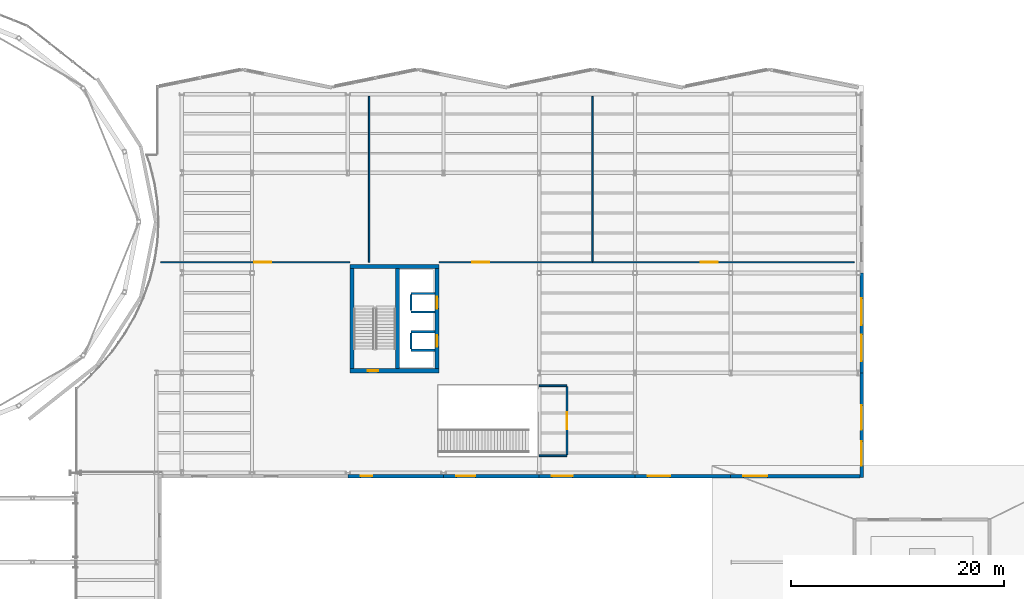
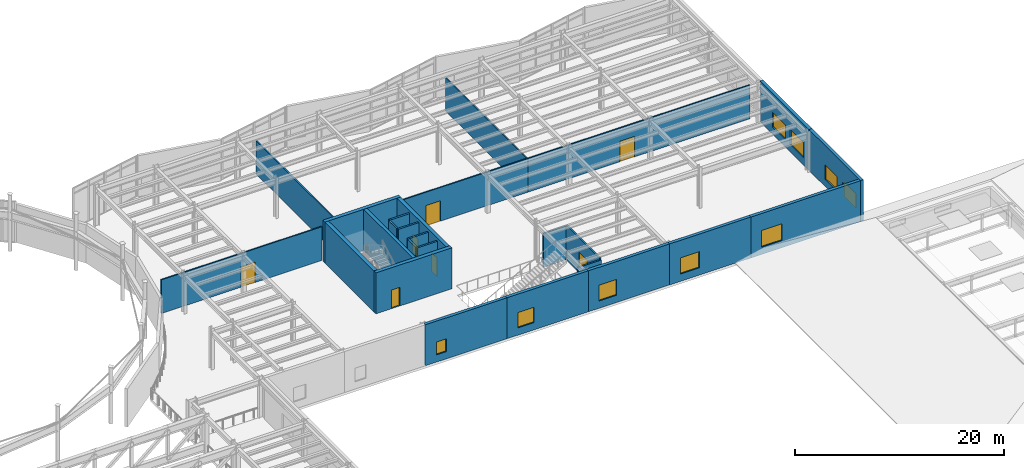
# One storey, part 75 of 91: 26 walls, 9 windows, 7 doors, 16 openings.
"""IFC4 building model written with IfcOpenShell, lengths in metres."""

from ifc_helpers import new_model, si_unit, direction, frame, frame_2d, origin, place, context, subcontext, project, spatial, rectangle, extrude, material, layer, layer_set, type_object, element, fill, save


model = new_model("IFC4")

# Units and contexts
model_context = context("Model", 3, precision=1e-05, world=origin(), true_north=direction((0.0, 1.0)))
body_context = subcontext(model_context, "Body", "Model", "MODEL_VIEW")
ifc_project = project(units=[si_unit("LENGTHUNIT", "METRE"), si_unit("AREAUNIT", "SQUARE_METRE"), si_unit("VOLUMEUNIT", "CUBIC_METRE"), si_unit("PLANEANGLEUNIT", "RADIAN"), si_unit("MASSUNIT", "GRAM", prefix="KILO")], contexts=[model_context])

# Site, building, storey
site_placement = place(None, origin())
site = spatial("IfcSite", under=ifc_project, at=site_placement, CompositionType="ELEMENT")
building_placement = place(site_placement, origin())
building = spatial("IfcBuilding", under=site, at=building_placement, Name="Sollismere Congress Hotel", CompositionType="ELEMENT")
storey_placement = place(building_placement, frame((0.0, 0.0, 10.800048828125)))
storey = spatial("IfcBuildingStorey", under=building, at=storey_placement, Name="L02", CompositionType="ELEMENT", Elevation=10.800048828125)

# Wall, openings, windows
ifc_material_1 = material(Name="Colorado Buff Sandstone and Limestone Backup C40/50", Category="masonry")
ifc_layer_1 = layer(ifc_material_1, 0.340087890625, Name="Colorado Buff Sandstone and Limestone Backup C40/50")
ifc_layer_set_1 = layer_set([ifc_layer_1], Name="Colorado Buff Sandstone and Limestone Backup C40/50")
wall_type_1 = type_object("IfcWallType", Name="WL-EXT340", PredefinedType="STANDARD", material=ifc_layer_set_1)
wall_1_placement = place(storey_placement, frame((124.31005859375, 66.35009765625, 0.0), z_axis=(0.0, 0.0, 1.0), x_axis=(0.0, 1.0, 0.0)))
wall_1 = element("IfcWall", 1, at=wall_1_placement, inside=storey, type_object=wall_type_1, Name="Exterior wall EW-L02-045", PredefinedType="STANDARD", context=body_context, shape_type="SweptSolid", body=[
    extrude(rectangle(XDim=9.849853515625, YDim=0.340087890625, at=frame_2d((4.9248046875, 0.0))), origin(), (0.0, 0.0, 1.0), 4.800048828125),
])
opening_1_placement = place(wall_1_placement, frame((1.10009765625, 0.0, 0.85009765625)))
opening_1 = element("IfcOpeningElement", 2, at=opening_1_placement, cuts=wall_1, Name="Opening W-L02-035", PredefinedType="OPENING", context=body_context, shape_type="SweptSolid", body=[
    extrude(rectangle(XDim=2.300048828125, YDim=1.699951171875, at=frame_2d((1.14990234375, 0.85009765625))), frame((0.0, 0.179931640625, 0.0), z_axis=(0.0, -1.0, 0.0), x_axis=(1.0, 0.0, 0.0)), (0.0, 0.0, 1.0), 0.360107421875),
])
opening_2_placement = place(wall_1_placement, frame((4.5, 0.0, 0.85009765625)))
opening_2 = element("IfcOpeningElement", 3, at=opening_2_placement, cuts=wall_1, Name="Opening W-L02-036", PredefinedType="OPENING", context=body_context, shape_type="SweptSolid", body=[
    extrude(rectangle(XDim=2.300048828125, YDim=1.699951171875, at=frame_2d((1.14990234375, 0.85009765625))), frame((0.0, 0.179931640625, 0.0), z_axis=(0.0, -1.0, 0.0), x_axis=(1.0, 0.0, 0.0)), (0.0, 0.0, 1.0), 0.360107421875),
])
ifc_material_2 = material(Name="Thermally Broken Bronze Aluminum & Low-E Glass", Category="aluminium")
window_type_1 = type_object("IfcWindowType", Name="WN-P230x170", PartitioningType="SINGLE_PANEL", PredefinedType="WINDOW", material=ifc_material_2)
window_1_placement = place(opening_1_placement, origin())
window_1 = element("IfcWindow", 4, at=window_1_placement, inside=storey, type_object=window_type_1, Name="WIN-W-L02-035", OverallHeight=1.699951171875, OverallWidth=2.300048828125, PartitioningType="SINGLE_PANEL", PredefinedType="WINDOW", context=body_context, shape_type="SweptSolid", body=[
    extrude(rectangle(XDim=2.300048828125, YDim=1.699951171875, at=frame_2d((1.14990234375, 0.85009765625))), frame((0.0, 0.030029296875, 0.0), z_axis=(0.0, -1.0, 0.0), x_axis=(1.0, 0.0, 0.0)), (0.0, 0.0, 1.0), 0.06005859375),
])
fill(opening_1, window_1)
window_2_placement = place(opening_2_placement, origin())
window_2 = element("IfcWindow", 5, at=window_2_placement, inside=storey, type_object=window_type_1, Name="WIN-W-L02-036", OverallHeight=1.699951171875, OverallWidth=2.300048828125, PartitioningType="SINGLE_PANEL", PredefinedType="WINDOW", context=body_context, shape_type="SweptSolid", body=[
    extrude(rectangle(XDim=2.300048828125, YDim=1.699951171875, at=frame_2d((1.14990234375, 0.85009765625))), frame((0.0, 0.030029296875, 0.0), z_axis=(0.0, -1.0, 0.0), x_axis=(1.0, 0.0, 0.0)), (0.0, 0.0, 1.0), 0.06005859375),
])
fill(opening_2, window_2)

wall_2_placement = place(storey_placement, frame((124.31005859375, 76.199951171875, 0.0), z_axis=(0.0, 0.0, 1.0), x_axis=(0.0, 1.0, 0.0)))
wall_2 = element("IfcWall", 6, at=wall_2_placement, inside=storey, type_object=wall_type_1, Name="Exterior wall EW-L02-046", PredefinedType="STANDARD", context=body_context, shape_type="SweptSolid", body=[
    extrude(rectangle(XDim=9.400146484375, YDim=0.340087890625, at=frame_2d((4.7001953125, 0.0))), origin(), (0.0, 0.0, 1.0), 4.800048828125),
])
opening_3_placement = place(wall_2_placement, frame((1.10009765625, 0.0, 0.85009765625)))
opening_3 = element("IfcOpeningElement", 7, at=opening_3_placement, cuts=wall_2, Name="Opening W-L02-037", PredefinedType="OPENING", context=body_context, shape_type="SweptSolid", body=[
    extrude(rectangle(XDim=2.5, YDim=1.75, at=frame_2d((1.25, 0.875))), frame((0.0, 0.179931640625, 0.0), z_axis=(0.0, -1.0, 0.0), x_axis=(1.0, 0.0, 0.0)), (0.0, 0.0, 1.0), 0.360107421875),
])
opening_4_placement = place(wall_2_placement, frame((4.5, 0.0, 0.85009765625)))
opening_4 = element("IfcOpeningElement", 8, at=opening_4_placement, cuts=wall_2, Name="Opening W-L02-038", PredefinedType="OPENING", context=body_context, shape_type="SweptSolid", body=[
    extrude(rectangle(XDim=2.5, YDim=1.75, at=frame_2d((1.25, 0.875))), frame((0.0, 0.179931640625, 0.0), z_axis=(0.0, -1.0, 0.0), x_axis=(1.0, 0.0, 0.0)), (0.0, 0.0, 1.0), 0.360107421875),
])
window_type_2 = type_object("IfcWindowType", Name="WN-P250x175", PartitioningType="SINGLE_PANEL", PredefinedType="WINDOW", material=ifc_material_2)
window_3_placement = place(opening_3_placement, origin())
window_3 = element("IfcWindow", 9, at=window_3_placement, inside=storey, type_object=window_type_2, Name="WIN-W-L02-037", OverallHeight=1.75, OverallWidth=2.5, PartitioningType="SINGLE_PANEL", PredefinedType="WINDOW", context=body_context, shape_type="SweptSolid", body=[
    extrude(rectangle(XDim=2.5, YDim=1.75, at=frame_2d((1.25, 0.875))), frame((0.0, 0.030029296875, 0.0), z_axis=(0.0, -1.0, 0.0), x_axis=(1.0, 0.0, 0.0)), (0.0, 0.0, 1.0), 0.06005859375),
])
fill(opening_3, window_3)
window_4_placement = place(opening_4_placement, origin())
window_4 = element("IfcWindow", 10, at=window_4_placement, inside=storey, type_object=window_type_2, Name="WIN-W-L02-038", OverallHeight=1.75, OverallWidth=2.5, PartitioningType="SINGLE_PANEL", PredefinedType="WINDOW", context=body_context, shape_type="SweptSolid", body=[
    extrude(rectangle(XDim=2.5, YDim=1.75, at=frame_2d((1.25, 0.875))), frame((0.0, 0.030029296875, 0.0), z_axis=(0.0, -1.0, 0.0), x_axis=(1.0, 0.0, 0.0)), (0.0, 0.0, 1.0), 0.06005859375),
])
fill(opening_4, window_4)

# Wall, opening, window
wall_3_placement = place(storey_placement, frame((76.0, 66.489990234375, 0.0), z_axis=(0.0, 0.0, 1.0), x_axis=(1.0, 0.0, 0.0)))
wall_3 = element("IfcWall", 11, at=wall_3_placement, inside=storey, type_object=wall_type_1, Name="Exterior wall EW-L02-051", PredefinedType="STANDARD", context=body_context, shape_type="SweptSolid", body=[
    extrude(rectangle(XDim=9.0, YDim=0.340087890625, at=frame_2d((4.5, 0.0))), origin(), (0.0, 0.0, 1.0), 4.800048828125),
])
opening_5_placement = place(wall_3_placement, frame((1.199951171875, 0.0, 0.85009765625)))
opening_5 = element("IfcOpeningElement", 12, at=opening_5_placement, cuts=wall_3, Name="Opening W-L02-045", PredefinedType="OPENING", context=body_context, shape_type="SweptSolid", body=[
    extrude(rectangle(XDim=1.10009765625, YDim=1.5, at=frame_2d((0.550048828125, 0.75))), frame((0.0, 0.179931640625, 0.0), z_axis=(0.0, -1.0, 0.0), x_axis=(1.0, 0.0, 0.0)), (0.0, 0.0, 1.0), 0.360107421875),
])
window_type_3 = type_object("IfcWindowType", Name="WN-P110x150", PartitioningType="SINGLE_PANEL", PredefinedType="WINDOW", material=ifc_material_2)
window_5_placement = place(opening_5_placement, origin())
window_5 = element("IfcWindow", 13, at=window_5_placement, inside=storey, type_object=window_type_3, Name="WIN-W-L02-045", OverallHeight=1.5, OverallWidth=1.10009765625, PartitioningType="SINGLE_PANEL", PredefinedType="WINDOW", context=body_context, shape_type="SweptSolid", body=[
    extrude(rectangle(XDim=1.10009765625, YDim=1.5, at=frame_2d((0.550048828125, 0.75))), frame((0.0, 0.030029296875, 0.0), z_axis=(0.0, -1.0, 0.0), x_axis=(1.0, 0.0, 0.0)), (0.0, 0.0, 1.0), 0.06005859375),
])
fill(opening_5, window_5)

wall_4_placement = place(storey_placement, frame((85.0, 66.489990234375, 0.0), z_axis=(0.0, 0.0, 1.0), x_axis=(1.0, 0.0, 0.0)))
wall_4 = element("IfcWall", 14, at=wall_4_placement, inside=storey, type_object=wall_type_1, Name="Exterior wall EW-L02-052", PredefinedType="STANDARD", context=body_context, shape_type="SweptSolid", body=[
    extrude(rectangle(XDim=9.0, YDim=0.340087890625, at=frame_2d((4.5, 0.0))), origin(), (0.0, 0.0, 1.0), 4.800048828125),
])
opening_6_placement = place(wall_4_placement, frame((1.199951171875, 0.0, 0.85009765625)))
opening_6 = element("IfcOpeningElement", 15, at=opening_6_placement, cuts=wall_4, Name="Opening W-L02-046", PredefinedType="OPENING", context=body_context, shape_type="SweptSolid", body=[
    extrude(rectangle(XDim=1.800048828125, YDim=1.800048828125, at=frame_2d((0.89990234375, 0.89990234375))), frame((0.0, 0.179931640625, 0.0), z_axis=(0.0, -1.0, 0.0), x_axis=(1.0, 0.0, 0.0)), (0.0, 0.0, 1.0), 0.360107421875),
])
window_type_4 = type_object("IfcWindowType", Name="WN-P180x180", PartitioningType="SINGLE_PANEL", PredefinedType="WINDOW", material=ifc_material_2)
window_6_placement = place(opening_6_placement, origin())
window_6 = element("IfcWindow", 16, at=window_6_placement, inside=storey, type_object=window_type_4, Name="WIN-W-L02-046", OverallHeight=1.800048828125, OverallWidth=1.800048828125, PartitioningType="SINGLE_PANEL", PredefinedType="WINDOW", context=body_context, shape_type="SweptSolid", body=[
    extrude(rectangle(XDim=1.800048828125, YDim=1.800048828125, at=frame_2d((0.89990234375, 0.89990234375))), frame((0.0, 0.030029296875, 0.0), z_axis=(0.0, -1.0, 0.0), x_axis=(1.0, 0.0, 0.0)), (0.0, 0.0, 1.0), 0.06005859375),
])
fill(opening_6, window_6)

wall_5_placement = place(storey_placement, frame((94.0, 66.489990234375, 0.0), z_axis=(0.0, 0.0, 1.0), x_axis=(1.0, 0.0, 0.0)))
wall_5 = element("IfcWall", 17, at=wall_5_placement, inside=storey, type_object=wall_type_1, Name="Exterior wall EW-L02-053", PredefinedType="STANDARD", context=body_context, shape_type="SweptSolid", body=[
    extrude(rectangle(XDim=9.0, YDim=0.340087890625, at=frame_2d((4.5, 0.0))), origin(), (0.0, 0.0, 1.0), 4.800048828125),
])
opening_7_placement = place(wall_5_placement, frame((1.199951171875, 0.0, 0.85009765625)))
opening_7 = element("IfcOpeningElement", 18, at=opening_7_placement, cuts=wall_5, Name="Opening W-L02-047", PredefinedType="OPENING", context=body_context, shape_type="SweptSolid", body=[
    extrude(rectangle(XDim=1.949951171875, YDim=1.85009765625, at=frame_2d((0.97509765625, 0.925048828125))), frame((0.0, 0.179931640625, 0.0), z_axis=(0.0, -1.0, 0.0), x_axis=(1.0, 0.0, 0.0)), (0.0, 0.0, 1.0), 0.360107421875),
])
window_type_5 = type_object("IfcWindowType", Name="WN-P195x185", PartitioningType="SINGLE_PANEL", PredefinedType="WINDOW", material=ifc_material_2)
window_7_placement = place(opening_7_placement, origin())
window_7 = element("IfcWindow", 19, at=window_7_placement, inside=storey, type_object=window_type_5, Name="WIN-W-L02-047", OverallHeight=1.85009765625, OverallWidth=1.949951171875, PartitioningType="SINGLE_PANEL", PredefinedType="WINDOW", context=body_context, shape_type="SweptSolid", body=[
    extrude(rectangle(XDim=1.949951171875, YDim=1.85009765625, at=frame_2d((0.97509765625, 0.925048828125))), frame((0.0, 0.030029296875, 0.0), z_axis=(0.0, -1.0, 0.0), x_axis=(1.0, 0.0, 0.0)), (0.0, 0.0, 1.0), 0.06005859375),
])
fill(opening_7, window_7)

wall_6_placement = place(storey_placement, frame((103.0, 66.489990234375, 0.0), z_axis=(0.0, 0.0, 1.0), x_axis=(1.0, 0.0, 0.0)))
wall_6 = element("IfcWall", 20, at=wall_6_placement, inside=storey, type_object=wall_type_1, Name="Exterior wall EW-L02-054", PredefinedType="STANDARD", context=body_context, shape_type="SweptSolid", body=[
    extrude(rectangle(XDim=9.0, YDim=0.340087890625, at=frame_2d((4.5, 0.0))), origin(), (0.0, 0.0, 1.0), 4.800048828125),
])
opening_8_placement = place(wall_6_placement, frame((1.199951171875, 0.0, 0.85009765625)))
opening_8 = element("IfcOpeningElement", 21, at=opening_8_placement, cuts=wall_6, Name="Opening W-L02-048", PredefinedType="OPENING", context=body_context, shape_type="SweptSolid", body=[
    extrude(rectangle(XDim=2.10009765625, YDim=1.89990234375, at=frame_2d((1.050048828125, 0.949951171875))), frame((0.0, 0.179931640625, 0.0), z_axis=(0.0, -1.0, 0.0), x_axis=(1.0, 0.0, 0.0)), (0.0, 0.0, 1.0), 0.360107421875),
])
window_type_6 = type_object("IfcWindowType", Name="WN-P210x190", PartitioningType="SINGLE_PANEL", PredefinedType="WINDOW", material=ifc_material_2)
window_8_placement = place(opening_8_placement, origin())
window_8 = element("IfcWindow", 22, at=window_8_placement, inside=storey, type_object=window_type_6, Name="WIN-W-L02-048", OverallHeight=1.89990234375, OverallWidth=2.10009765625, PartitioningType="SINGLE_PANEL", PredefinedType="WINDOW", context=body_context, shape_type="SweptSolid", body=[
    extrude(rectangle(XDim=2.10009765625, YDim=1.89990234375, at=frame_2d((1.050048828125, 0.949951171875))), frame((0.0, 0.030029296875, 0.0), z_axis=(0.0, -1.0, 0.0), x_axis=(1.0, 0.0, 0.0)), (0.0, 0.0, 1.0), 0.06005859375),
])
fill(opening_8, window_8)

wall_7_placement = place(storey_placement, frame((112.0, 66.489990234375, 0.0), z_axis=(0.0, 0.0, 1.0), x_axis=(1.0, 0.0, 0.0)))
wall_7 = element("IfcWall", 23, at=wall_7_placement, inside=storey, type_object=wall_type_1, Name="Exterior wall EW-L02-055", PredefinedType="STANDARD", context=body_context, shape_type="SweptSolid", body=[
    extrude(rectangle(XDim=12.137939453125, YDim=0.340087890625, at=frame_2d((6.06884765625, 0.0))), origin(), (0.0, 0.0, 1.0), 4.800048828125),
])
opening_9_placement = place(wall_7_placement, frame((1.199951171875, 0.0, 0.85009765625)))
opening_9 = element("IfcOpeningElement", 24, at=opening_9_placement, cuts=wall_7, Name="Opening W-L02-049", PredefinedType="OPENING", context=body_context, shape_type="SweptSolid", body=[
    extrude(rectangle(XDim=2.25, YDim=1.949951171875, at=frame_2d((1.125, 0.97509765625))), frame((0.0, 0.179931640625, 0.0), z_axis=(0.0, -1.0, 0.0), x_axis=(1.0, 0.0, 0.0)), (0.0, 0.0, 1.0), 0.360107421875),
])
window_type_7 = type_object("IfcWindowType", Name="WN-P225x195", PartitioningType="SINGLE_PANEL", PredefinedType="WINDOW", material=ifc_material_2)
window_9_placement = place(opening_9_placement, origin())
window_9 = element("IfcWindow", 25, at=window_9_placement, inside=storey, type_object=window_type_7, Name="WIN-W-L02-049", OverallHeight=1.949951171875, OverallWidth=2.25, PartitioningType="SINGLE_PANEL", PredefinedType="WINDOW", context=body_context, shape_type="SweptSolid", body=[
    extrude(rectangle(XDim=2.25, YDim=1.949951171875, at=frame_2d((1.125, 0.97509765625))), frame((0.0, 0.030029296875, 0.0), z_axis=(0.0, -1.0, 0.0), x_axis=(1.0, 0.0, 0.0)), (0.0, 0.0, 1.0), 0.06005859375),
])
fill(opening_9, window_9)

# Walls
ifc_material_3 = material(Name="Moisture-Resistant Shaft Gypsum Assembly")
ifc_layer_2 = layer(ifc_material_3, 0.199951171875, Name="Moisture-Resistant Shaft Gypsum Assembly")
ifc_layer_set_2 = layer_set([ifc_layer_2], Name="Moisture-Resistant Shaft Gypsum Assembly")
wall_type_2 = type_object("IfcWallType", Name="WL-PLM200", PredefinedType="PLUMBINGWALL", material=ifc_layer_set_2)
for number, where, z_axis, x_axis, name in (
    (26, (81.955078125, 78.330078125, 0.0), (0.0, 0.0, 1.0), (1.0, 0.0, 0.0), "Interior wall IW-L02-0598"),
    (27, (81.955078125, 80.070068359375, 0.0), (0.0, 0.0, 1.0), (1.0, 0.0, 0.0), "Interior wall IW-L02-0599"),
):
    element("IfcWall", number, at=place(storey_placement, frame(where, z_axis=z_axis, x_axis=x_axis)), inside=storey, type_object=wall_type_2, Name=name, PredefinedType="PLUMBINGWALL", context=body_context, shape_type="SweptSolid", body=[
        extrude(rectangle(XDim=2.23291015625, YDim=0.199951171875, at=frame_2d((1.116455078125, 0.0))), origin(), (0.0, 0.0, 1.0), 4.474853515625),
    ])
wall_8_placement = place(storey_placement, frame((81.955078125, 78.44189453125, 0.0), z_axis=(0.0, 0.0, 1.0), x_axis=(0.0, 1.0, 0.0)))
element("IfcWall", 28, at=wall_8_placement, inside=storey, type_object=wall_type_2, Name="Interior wall IW-L02-0600", PredefinedType="PLUMBINGWALL", context=body_context, shape_type="SweptSolid", body=[
    extrude(rectangle(XDim=1.51611328125, YDim=0.199951171875, at=frame_2d((0.758056640625, 0.0))), origin(), (0.0, 0.0, 1.0), 4.474853515625),
])
for number, where, z_axis, x_axis, name in (
    (29, (81.955078125, 81.929931640625, 0.0), (0.0, 0.0, 1.0), (1.0, 0.0, 0.0), "Interior wall IW-L02-0601"),
    (30, (81.955078125, 83.669921875, 0.0), (0.0, 0.0, 1.0), (1.0, 0.0, 0.0), "Interior wall IW-L02-0602"),
):
    element("IfcWall", number, at=place(storey_placement, frame(where, z_axis=z_axis, x_axis=x_axis)), inside=storey, type_object=wall_type_2, Name=name, PredefinedType="PLUMBINGWALL", context=body_context, shape_type="SweptSolid", body=[
        extrude(rectangle(XDim=2.23291015625, YDim=0.199951171875, at=frame_2d((1.116455078125, 0.0))), origin(), (0.0, 0.0, 1.0), 4.474853515625),
    ])
wall_9_placement = place(storey_placement, frame((81.955078125, 82.0419921875, 0.0), z_axis=(0.0, 0.0, 1.0), x_axis=(0.0, 1.0, 0.0)))
element("IfcWall", 31, at=wall_9_placement, inside=storey, type_object=wall_type_2, Name="Interior wall IW-L02-0603", PredefinedType="PLUMBINGWALL", context=body_context, shape_type="SweptSolid", body=[
    extrude(rectangle(XDim=1.51611328125, YDim=0.199951171875, at=frame_2d((0.758056640625, 0.0))), origin(), (0.0, 0.0, 1.0), 4.474853515625),
])

# Wall, opening, door
ifc_material_4 = material(Name="Fire-Rated Gypsum Partition")
ifc_layer_3 = layer(ifc_material_4, 0.139892578125, Name="Fire-Rated Gypsum Partition")
ifc_layer_set_3 = layer_set([ifc_layer_3], Name="Fire-Rated Gypsum Partition")
wall_type_3 = type_object("IfcWallType", Name="WL-PRT140R", PredefinedType="PARTITIONING", material=ifc_layer_set_3)
wall_10_placement = place(storey_placement, frame((58.39990234375, 86.60009765625, 0.0), z_axis=(0.0, 0.0, 1.0), x_axis=(1.0, 0.0, 0.0)))
wall_10 = element("IfcWall", 32, at=wall_10_placement, inside=storey, type_object=wall_type_3, Name="Interior wall IW-L02-0939", PredefinedType="PARTITIONING", context=body_context, shape_type="SweptSolid", body=[
    extrude(rectangle(XDim=17.800048828125, YDim=0.139892578125, at=frame_2d((8.89990234375, 0.0))), origin(), (0.0, 0.0, 1.0), 3.948974609375),
])
opening_10_placement = place(wall_10_placement, frame((8.800048828125, 0.0, 0.0)))
opening_10 = element("IfcOpeningElement", 33, at=opening_10_placement, cuts=wall_10, Name="Opening D-L02-0328", PredefinedType="OPENING", context=body_context, shape_type="SweptSolid", body=[
    extrude(rectangle(XDim=1.60009765625, YDim=2.39990234375, at=frame_2d((0.800048828125, 1.199951171875))), frame((0.0, 0.079833984375, 0.0), z_axis=(0.0, -1.0, 0.0), x_axis=(1.0, 0.0, 0.0)), (0.0, 0.0, 1.0), 0.159912109375),
])
ifc_material_5 = material(Name="Acoustic Oak Double Meeting Door")
door_type_1 = type_object("IfcDoorType", Name="DR-MT160", OperationType="NOTDEFINED", PredefinedType="DOOR", material=ifc_material_5)
door_1_placement = place(opening_10_placement, origin())
door_1 = element("IfcDoor", 34, at=door_1_placement, inside=storey, type_object=door_type_1, Name="Interior door D-L02-0328", OperationType="DOUBLE_DOOR_SINGLE_SWING", OverallHeight=2.39990234375, OverallWidth=1.60009765625, PredefinedType="DOOR", context=body_context, shape_type="SweptSolid", body=[
    extrude(rectangle(XDim=1.60009765625, YDim=2.39990234375, at=frame_2d((0.800048828125, 1.199951171875))), frame((0.0, 0.02490234375, 0.0), z_axis=(0.0, -1.0, 0.0), x_axis=(1.0, 0.0, 0.0)), (0.0, 0.0, 1.0), 0.050048828125),
])
fill(opening_10, door_1)

wall_11_placement = place(storey_placement, frame((84.60009765625, 86.60009765625, 0.0), z_axis=(0.0, 0.0, 1.0), x_axis=(1.0, 0.0, 0.0)))
wall_11 = element("IfcWall", 35, at=wall_11_placement, inside=storey, type_object=wall_type_3, Name="Interior wall IW-L02-0940", PredefinedType="PARTITIONING", context=body_context, shape_type="SweptSolid", body=[
    extrude(rectangle(XDim=14.39990234375, YDim=0.139892578125, at=frame_2d((7.199951171875, 0.0))), origin(), (0.0, 0.0, 1.0), 3.948974609375),
])
opening_11_placement = place(wall_11_placement, frame((3.10009765625, 0.0, 0.0)))
opening_11 = element("IfcOpeningElement", 36, at=opening_11_placement, cuts=wall_11, Name="Opening D-L02-0329", PredefinedType="OPENING", context=body_context, shape_type="SweptSolid", body=[
    extrude(rectangle(XDim=1.60009765625, YDim=2.39990234375, at=frame_2d((0.800048828125, 1.199951171875))), frame((0.0, 0.079833984375, 0.0), z_axis=(0.0, -1.0, 0.0), x_axis=(1.0, 0.0, 0.0)), (0.0, 0.0, 1.0), 0.159912109375),
])
door_2_placement = place(opening_11_placement, origin())
door_2 = element("IfcDoor", 37, at=door_2_placement, inside=storey, type_object=door_type_1, Name="Interior door D-L02-0329", OperationType="DOUBLE_DOOR_SINGLE_SWING", OverallHeight=2.39990234375, OverallWidth=1.60009765625, PredefinedType="DOOR", context=body_context, shape_type="SweptSolid", body=[
    extrude(rectangle(XDim=1.60009765625, YDim=2.39990234375, at=frame_2d((0.800048828125, 1.199951171875))), frame((0.0, 0.02490234375, 0.0), z_axis=(0.0, -1.0, 0.0), x_axis=(1.0, 0.0, 0.0)), (0.0, 0.0, 1.0), 0.050048828125),
])
fill(opening_11, door_2)

wall_12_placement = place(storey_placement, frame((99.0, 86.60009765625, 0.0), z_axis=(0.0, 0.0, 1.0), x_axis=(1.0, 0.0, 0.0)))
wall_12 = element("IfcWall", 38, at=wall_12_placement, inside=storey, type_object=wall_type_3, Name="Interior wall IW-L02-0941", PredefinedType="PARTITIONING", context=body_context, shape_type="SweptSolid", body=[
    extrude(rectangle(XDim=24.60009765625, YDim=0.139892578125, at=frame_2d((12.300048828125, 0.0))), origin(), (0.0, 0.0, 1.0), 3.948974609375),
])
opening_12_placement = place(wall_12_placement, frame((10.199951171875, 0.0, 0.0)))
opening_12 = element("IfcOpeningElement", 39, at=opening_12_placement, cuts=wall_12, Name="Opening D-L02-0330", PredefinedType="OPENING", context=body_context, shape_type="SweptSolid", body=[
    extrude(rectangle(XDim=1.60009765625, YDim=2.39990234375, at=frame_2d((0.800048828125, 1.199951171875))), frame((0.0, 0.079833984375, 0.0), z_axis=(0.0, -1.0, 0.0), x_axis=(1.0, 0.0, 0.0)), (0.0, 0.0, 1.0), 0.159912109375),
])
door_3_placement = place(opening_12_placement, origin())
door_3 = element("IfcDoor", 40, at=door_3_placement, inside=storey, type_object=door_type_1, Name="Interior door D-L02-0330", OperationType="DOUBLE_DOOR_SINGLE_SWING", OverallHeight=2.39990234375, OverallWidth=1.60009765625, PredefinedType="DOOR", context=body_context, shape_type="SweptSolid", body=[
    extrude(rectangle(XDim=1.60009765625, YDim=2.39990234375, at=frame_2d((0.800048828125, 1.199951171875))), frame((0.0, 0.02490234375, 0.0), z_axis=(0.0, -1.0, 0.0), x_axis=(1.0, 0.0, 0.0)), (0.0, 0.0, 1.0), 0.050048828125),
])
fill(opening_12, door_3)

# Walls
wall_13_placement = place(storey_placement, frame((78.0, 86.60009765625, 0.0), z_axis=(0.0, 0.0, 1.0), x_axis=(0.0, 1.0, 0.0)))
element("IfcWall", 41, at=wall_13_placement, inside=storey, type_object=wall_type_3, Name="Interior wall IW-L02-0942", PredefinedType="PARTITIONING", context=body_context, shape_type="SweptSolid", body=[
    extrude(rectangle(XDim=15.599853515625, YDim=0.139892578125, at=frame_2d((7.7998046875, 0.0))), origin(), (0.0, 0.0, 1.0), 3.887939453125),
])
wall_14_placement = place(storey_placement, frame((99.0, 86.681884765625, 0.0), z_axis=(0.0, 0.0, 1.0), x_axis=(0.0, 1.0, 0.0)))
element("IfcWall", 42, at=wall_14_placement, inside=storey, type_object=wall_type_3, Name="Interior wall IW-L02-0944", PredefinedType="PARTITIONING", context=body_context, shape_type="SweptSolid", body=[
    extrude(rectangle(XDim=15.51806640625, YDim=0.139892578125, at=frame_2d((7.759033203125, 0.0))), origin(), (0.0, 0.0, 1.0), 3.887939453125),
])
ifc_material_6 = material(Name="Fire-Rated Acoustic Gypsum Partition")
ifc_layer_4 = layer(ifc_material_6, 0.1650390625, Name="Fire-Rated Acoustic Gypsum Partition")
ifc_layer_set_4 = layer_set([ifc_layer_4], Name="Fire-Rated Acoustic Gypsum Partition")
wall_type_4 = type_object("IfcWallType", Name="WL-PRT165R", PredefinedType="PARTITIONING", material=ifc_layer_set_4)
for number, where, z_axis, x_axis, name in (
    (43, (94.0, 68.39990234375, 0.0), (0.0, 0.0, 1.0), (1.0, 0.0, 0.0), "Interior wall IW-L02-0937"),
    (44, (94.0, 75.0, 0.0), (0.0, 0.0, 1.0), (1.0, 0.0, 0.0), "Interior wall IW-L02-0938"),
):
    element("IfcWall", number, at=place(storey_placement, frame(where, z_axis=z_axis, x_axis=x_axis)), inside=storey, type_object=wall_type_4, Name=name, PredefinedType="PARTITIONING", context=body_context, shape_type="SweptSolid", body=[
        extrude(rectangle(XDim=2.60009765625, YDim=0.1650390625, at=frame_2d((1.300048828125, 0.0))), origin(), (0.0, 0.0, 1.0), 3.948974609375),
    ])

# Wall, opening, door
wall_15_placement = place(storey_placement, frame((96.60009765625, 68.494384765625, 0.0), z_axis=(0.0, 0.0, 1.0), x_axis=(0.0, 1.0, 0.0)))
wall_15 = element("IfcWall", 45, at=wall_15_placement, inside=storey, type_object=wall_type_4, Name="Interior wall IW-L02-0943", PredefinedType="PARTITIONING", context=body_context, shape_type="SweptSolid", body=[
    extrude(rectangle(XDim=6.4111328125, YDim=0.1650390625, at=frame_2d((3.20556640625, 0.0))), origin(), (0.0, 0.0, 1.0), 4.0830078125),
])
opening_13_placement = place(wall_15_placement, frame((2.406005859375, 0.0, 0.0)))
opening_13 = element("IfcOpeningElement", 46, at=opening_13_placement, cuts=wall_15, Name="Opening D-L02-0331", PredefinedType="OPENING", context=body_context, shape_type="SweptSolid", body=[
    extrude(rectangle(XDim=1.60009765625, YDim=2.39990234375, at=frame_2d((0.800048828125, 1.199951171875))), frame((0.0, 0.092529296875, 0.0), z_axis=(0.0, -1.0, 0.0), x_axis=(1.0, 0.0, 0.0)), (0.0, 0.0, 1.0), 0.18505859375),
])
door_4_placement = place(opening_13_placement, origin())
door_4 = element("IfcDoor", 47, at=door_4_placement, inside=storey, type_object=door_type_1, Name="Interior door D-L02-0331", OperationType="DOUBLE_DOOR_SINGLE_SWING", OverallHeight=2.39990234375, OverallWidth=1.60009765625, PredefinedType="DOOR", context=body_context, shape_type="SweptSolid", body=[
    extrude(rectangle(XDim=1.60009765625, YDim=2.39990234375, at=frame_2d((0.800048828125, 1.199951171875))), frame((0.0, 0.02490234375, 0.0), z_axis=(0.0, -1.0, 0.0), x_axis=(1.0, 0.0, 0.0)), (0.0, 0.0, 1.0), 0.050048828125),
])
fill(opening_13, door_4)

# Wall
ifc_material_7 = material(Name="Concrete C50/60", Category="concrete")
ifc_layer_5 = layer(ifc_material_7, 0.35009765625, Name="Concrete C50/60")
ifc_layer_set_5 = layer_set([ifc_layer_5], Name="Concrete C50/60")
wall_type_5 = type_object("IfcWallType", Name="WL-SHR350", PredefinedType="SHEAR", material=ifc_layer_set_5)
wall_16_placement = place(storey_placement, frame((80.675048828125, 76.60009765625, 0.0), z_axis=(0.0, 0.0, 1.0), x_axis=(0.0, 1.0, 0.0)))
element("IfcWall", 48, at=wall_16_placement, inside=storey, type_object=wall_type_5, Name="Interior wall IW-L02-0597", PredefinedType="SHEAR", context=body_context, shape_type="SweptSolid", body=[
    extrude(rectangle(XDim=9.39990234375, YDim=0.35009765625, at=frame_2d((4.699951171875, 0.0))), origin(), (0.0, 0.0, 1.0), 4.800048828125),
])

# Wall, opening, door
ifc_layer_6 = layer(ifc_material_7, 0.39990234375, Name="Concrete C50/60")
ifc_layer_set_6 = layer_set([ifc_layer_6], Name="Concrete C50/60")
wall_type_6 = type_object("IfcWallType", Name="WL-SHR400", PredefinedType="SHEAR", material=ifc_layer_set_6)
wall_17_placement = place(storey_placement, frame((76.199951171875, 76.39990234375, 0.0), z_axis=(0.0, 0.0, 1.0), x_axis=(1.0, 0.0, 0.0)))
wall_17 = element("IfcWall", 49, at=wall_17_placement, inside=storey, type_object=wall_type_6, Name="Interior wall IW-L02-0593", PredefinedType="SHEAR", context=body_context, shape_type="SweptSolid", body=[
    extrude(rectangle(XDim=8.400146484375, YDim=0.39990234375, at=frame_2d((4.2001953125, 0.0))), origin(), (0.0, 0.0, 1.0), 4.800048828125),
])
opening_14_placement = place(wall_17_placement, frame((1.699951171875, 0.0, 0.0)))
opening_14 = element("IfcOpeningElement", 50, at=opening_14_placement, cuts=wall_17, Name="Opening D-ST-04-L02", PredefinedType="OPENING", context=body_context, shape_type="SweptSolid", body=[
    extrude(rectangle(XDim=0.949951171875, YDim=2.199951171875, at=frame_2d((0.47509765625, 1.10009765625))), frame((0.0, 0.2099609375, 0.0), z_axis=(0.0, -1.0, 0.0), x_axis=(1.0, 0.0, 0.0)), (0.0, 0.0, 1.0), 0.419921875),
])
ifc_material_8 = material(Name="Fire-Rated Insulated Steel Door", Category="steel")
door_type_2 = type_object("IfcDoorType", Name="DR-FD90", OperationType="NOTDEFINED", PredefinedType="DOOR", material=ifc_material_8)
door_5_placement = place(opening_14_placement, origin())
door_5 = element("IfcDoor", 51, at=door_5_placement, inside=storey, type_object=door_type_2, Name="Exit stair fire door D-ST-04-L02", OperationType="SINGLE_SWING_LEFT", OverallHeight=2.199951171875, OverallWidth=0.949951171875, PredefinedType="DOOR", context=body_context, shape_type="SweptSolid", body=[
    extrude(rectangle(XDim=0.949951171875, YDim=2.199951171875, at=frame_2d((0.47509765625, 1.10009765625))), frame((0.0, 0.02490234375, 0.0), z_axis=(0.0, -1.0, 0.0), x_axis=(1.0, 0.0, 0.0)), (0.0, 0.0, 1.0), 0.050048828125),
])
fill(opening_14, door_5)

# Walls
wall_18_placement = place(storey_placement, frame((84.60009765625, 86.199951171875, 0.0), z_axis=(0.0, 0.0, 1.0), x_axis=(-1.0, 0.0, 0.0)))
element("IfcWall", 52, at=wall_18_placement, inside=storey, type_object=wall_type_6, Name="Interior wall IW-L02-0594", PredefinedType="SHEAR", context=body_context, shape_type="SweptSolid", body=[
    extrude(rectangle(XDim=8.400146484375, YDim=0.39990234375, at=frame_2d((4.2001953125, 0.0))), origin(), (0.0, 0.0, 1.0), 4.800048828125),
])
wall_19_placement = place(storey_placement, frame((76.39990234375, 86.0, 0.0), z_axis=(0.0, 0.0, 1.0), x_axis=(0.0, -1.0, 0.0)))
element("IfcWall", 53, at=wall_19_placement, inside=storey, type_object=wall_type_6, Name="Interior wall IW-L02-0595", PredefinedType="SHEAR", context=body_context, shape_type="SweptSolid", body=[
    extrude(rectangle(XDim=9.39990234375, YDim=0.39990234375, at=frame_2d((4.699951171875, 0.0))), origin(), (0.0, 0.0, 1.0), 4.800048828125),
])

# Wall, openings, doors
wall_20_placement = place(storey_placement, frame((84.39990234375, 76.60009765625, 0.0), z_axis=(0.0, 0.0, 1.0), x_axis=(0.0, 1.0, 0.0)))
wall_20 = element("IfcWall", 54, at=wall_20_placement, inside=storey, type_object=wall_type_6, Name="Interior wall IW-L02-0596", PredefinedType="SHEAR", context=body_context, shape_type="SweptSolid", body=[
    extrude(rectangle(XDim=9.39990234375, YDim=0.39990234375, at=frame_2d((4.699951171875, 0.0))), origin(), (0.0, 0.0, 1.0), 4.800048828125),
])
opening_15_placement = place(wall_20_placement, frame((2.050048828125, 0.0, 0.0)))
opening_15 = element("IfcOpeningElement", 55, at=opening_15_placement, cuts=wall_20, Name="Opening LD-LP-07-L02", PredefinedType="OPENING", context=body_context, shape_type="SweptSolid", body=[
    extrude(rectangle(XDim=1.10009765625, YDim=2.199951171875, at=frame_2d((0.550048828125, 1.10009765625))), frame((0.0, 0.2099609375, 0.0), z_axis=(0.0, -1.0, 0.0), x_axis=(1.0, 0.0, 0.0)), (0.0, 0.0, 1.0), 0.419921875),
])
opening_16_placement = place(wall_20_placement, frame((5.64990234375, 0.0, 0.0)))
opening_16 = element("IfcOpeningElement", 56, at=opening_16_placement, cuts=wall_20, Name="Opening LD-LP-08-L02", PredefinedType="OPENING", context=body_context, shape_type="SweptSolid", body=[
    extrude(rectangle(XDim=1.10009765625, YDim=2.199951171875, at=frame_2d((0.550048828125, 1.10009765625))), frame((0.0, 0.2099609375, 0.0), z_axis=(0.0, -1.0, 0.0), x_axis=(1.0, 0.0, 0.0)), (0.0, 0.0, 1.0), 0.419921875),
])
ifc_material_9 = material(Name="Brushed Bronze Sliding Elevator Landing Door")
door_type_3 = type_object("IfcDoorType", Name="DR-LD110", OperationType="NOTDEFINED", PredefinedType="DOOR", material=ifc_material_9)
door_6_placement = place(opening_15_placement, origin())
door_6 = element("IfcDoor", 57, at=door_6_placement, inside=storey, type_object=door_type_3, Name="Elevator landing door LD-LP-07-L02", OperationType="SLIDING_TO_LEFT", OverallHeight=2.199951171875, OverallWidth=1.10009765625, PredefinedType="DOOR", context=body_context, shape_type="SweptSolid", body=[
    extrude(rectangle(XDim=1.10009765625, YDim=2.199951171875, at=frame_2d((0.550048828125, 1.10009765625))), frame((0.0, 0.02490234375, 0.0), z_axis=(0.0, -1.0, 0.0), x_axis=(1.0, 0.0, 0.0)), (0.0, 0.0, 1.0), 0.050048828125),
])
fill(opening_15, door_6)
door_7_placement = place(opening_16_placement, origin())
door_7 = element("IfcDoor", 58, at=door_7_placement, inside=storey, type_object=door_type_3, Name="Elevator landing door LD-LP-08-L02", OperationType="SLIDING_TO_RIGHT", OverallHeight=2.199951171875, OverallWidth=1.10009765625, PredefinedType="DOOR", context=body_context, shape_type="SweptSolid", body=[
    extrude(rectangle(XDim=1.10009765625, YDim=2.199951171875, at=frame_2d((0.550048828125, 1.10009765625))), frame((0.0, 0.02490234375, 0.0), z_axis=(0.0, -1.0, 0.0), x_axis=(1.0, 0.0, 0.0)), (0.0, 0.0, 1.0), 0.050048828125),
])
fill(opening_16, door_7)

save(model, "model.ifc")
